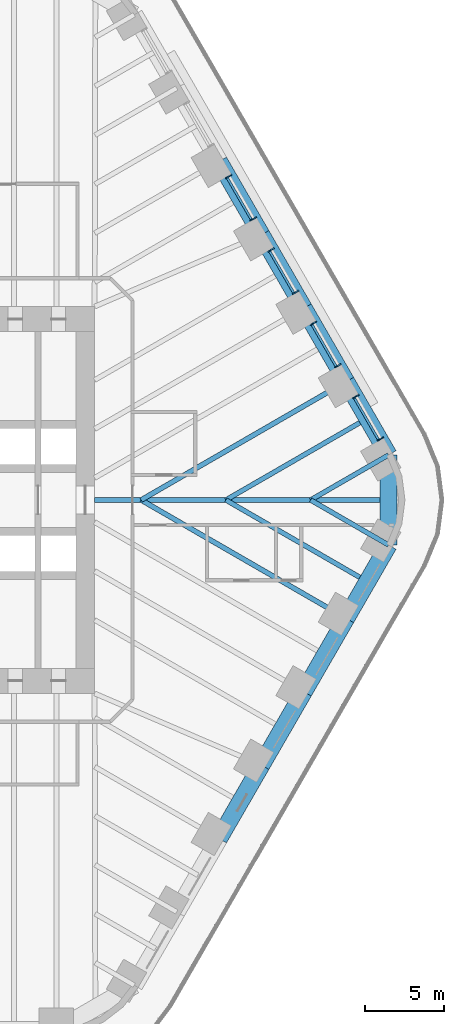
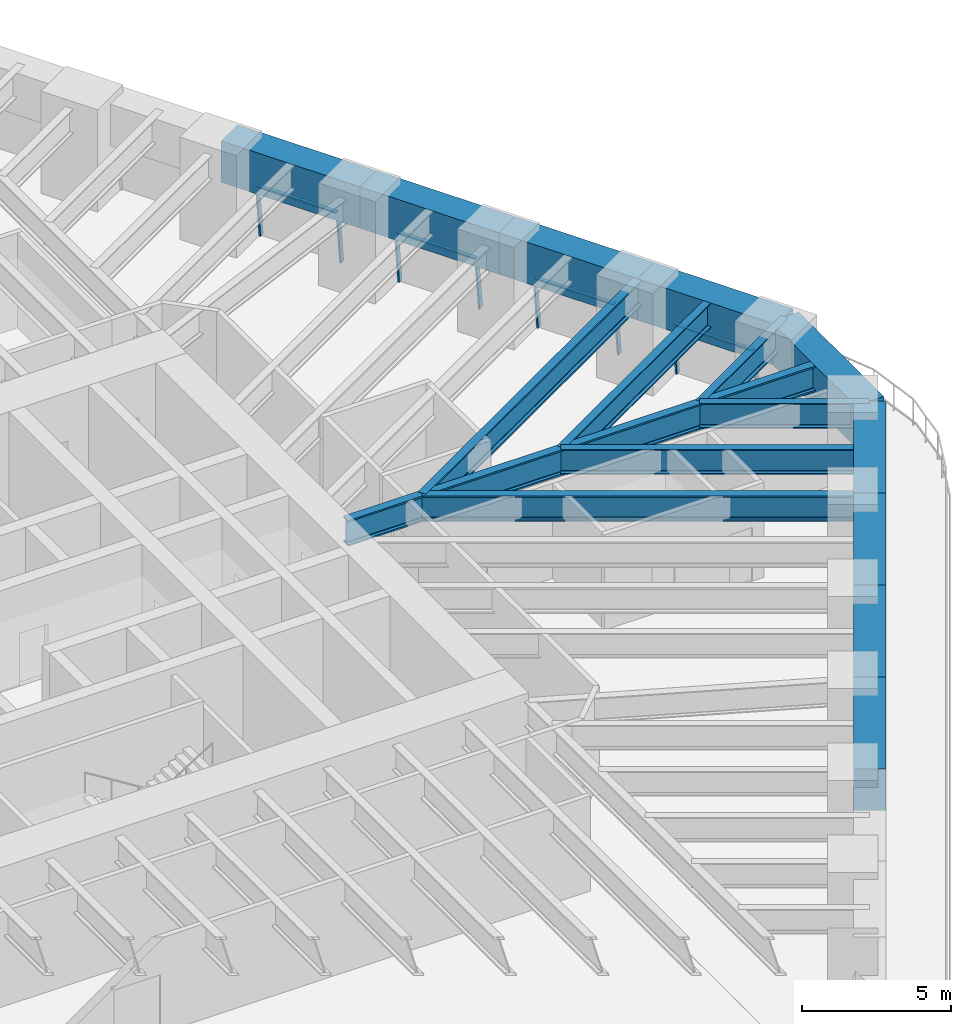
# One storey, part 6 of 16: 16 beams, 12 members, 4 elements without a shape of their own.
"""IFC4 building model written with IfcOpenShell, lengths in metres."""

import ifcopenshell
import ifcopenshell.guid

model = None  # the IFC model being written
_history = None  # IfcOwnerHistory: only IFC2X3 demands one
_inside = {}  # id of a spatial element -> (the spatial element, [elements in it])
_under = {}  # id of a project, library or spatial element -> (it, [spatial elements below it])
_declared = {}  # id of a project -> (the project, [libraries it declares])
_typed = {}  # id of a type object -> (the type object, [elements of that type])
_made_of = {}  # id of a material, layer set ... -> (it, [elements and type objects made of it])


def new_model(schema):
    """Start an empty IFC model of exactly this schema.

    Asked for "IFC4X3", IfcOpenShell would pick the latest addendum, in which some entities
    have other attributes; the version numbers below select the first issue.
    IFC2X3 requires an IfcOwnerHistory on every rooted entity: one is made here for all.
    """
    global model, _history
    if schema == "IFC4X3":
        model = ifcopenshell.file(schema_version=(4, 3, 0, 0))
    else:
        model = ifcopenshell.file(schema=schema)
    _inside.clear()
    _under.clear()
    _declared.clear()
    _typed.clear()
    _made_of.clear()
    _history = None
    if model.schema == "IFC2X3":
        org = make("IfcOrganization", Name="unknown")
        user = make(
            "IfcPersonAndOrganization",
            ThePerson=make("IfcPerson", FamilyName="unknown"),
            TheOrganization=org,
        )
        app = make(
            "IfcApplication",
            ApplicationDeveloper=org,
            Version="unknown",
            ApplicationFullName="unknown",
            ApplicationIdentifier="unknown",
        )
        _history = make(
            "IfcOwnerHistory",
            OwningUser=user,
            OwningApplication=app,
            ChangeAction="ADDED",
            CreationDate=0,
        )
    return model


def make(cls, **values):
    """One entity of the class cls with the attributes given. An attribute that is None is left unset."""
    return model.create_entity(
        cls, **{name: value for name, value in values.items() if value is not None}
    )


def rooted(cls, **values):
    """An entity with a GlobalId (a new one), such as an element, a storey or a relation."""
    return make(cls, GlobalId=ifcopenshell.guid.new(), OwnerHistory=_history, **values)


def si_unit(unit_type, name, prefix=None):
    """IfcSIUnit, for example si_unit("LENGTHUNIT", "METRE", prefix="MILLI")."""
    return make("IfcSIUnit", UnitType=unit_type, Prefix=prefix, Name=name)


def assignment(units):
    """IfcUnitAssignment: the units of a project."""
    return None if units is None else make("IfcUnitAssignment", Units=units)


def point(xyz):
    """IfcCartesianPoint."""
    return None if xyz is None else make("IfcCartesianPoint", Coordinates=xyz)


def direction(xyz):
    """IfcDirection."""
    return None if xyz is None else make("IfcDirection", DirectionRatios=xyz)


def frame(location, z_axis=None, x_axis=None):
    """IfcAxis2Placement3D, a coordinate frame: its origin and axes. An axis left out is left unset."""
    return make(
        "IfcAxis2Placement3D",
        Location=point(location),
        Axis=direction(z_axis),
        RefDirection=direction(x_axis),
    )


def frame_2d(location, x_axis=None):
    """IfcAxis2Placement2D, a coordinate frame in the plane: its origin and x axis."""
    return make(
        "IfcAxis2Placement2D", Location=point(location), RefDirection=direction(x_axis)
    )


def origin():
    """The frame at (0, 0, 0) with its axes left unset."""
    return frame((0.0, 0.0, 0.0))


def origin_2d():
    """The frame at (0, 0) in the plane with its x axis left unset."""
    return frame_2d((0.0, 0.0))


def place(relative_to, where):
    """IfcLocalPlacement: puts the frame where relative to a parent placement (None: the world)."""
    return make(
        "IfcLocalPlacement", PlacementRelTo=relative_to, RelativePlacement=where
    )


def context(
    kind, dimensions, precision=None, world=None, true_north=None, identifier=None
):
    """IfcGeometricRepresentationContext, for example the 3D "Model" context."""
    return make(
        "IfcGeometricRepresentationContext",
        ContextIdentifier=identifier,
        ContextType=kind,
        CoordinateSpaceDimension=dimensions,
        Precision=precision,
        WorldCoordinateSystem=world,
        TrueNorth=true_north,
    )


def subcontext(parent, identifier, kind, view, scale=None):
    """IfcGeometricRepresentationSubContext, for example "Body" below "Model"."""
    return make(
        "IfcGeometricRepresentationSubContext",
        ContextIdentifier=identifier,
        ContextType=kind,
        ParentContext=parent,
        TargetScale=scale,
        TargetView=view,
    )


def project(units=None, contexts=None):
    """IfcProject with its units and contexts."""
    return rooted(
        "IfcProject",
        Name="project",
        RepresentationContexts=contexts,
        UnitsInContext=assignment(units),
    )


def spatial(cls, under=None, at=None, **own):
    """A site, building, storey or space (cls), placed at a placement, below another one or the project."""
    s = rooted(cls, ObjectPlacement=at, **own)
    if under is not None:
        _under.setdefault(under.id(), (under, []))[1].append(s)
    return s


def profile(cls, at=None, kind="AREA", **sizes):
    """A parametric profile (cls). Its sizes go by their IFC names, for example OverallWidth=200.0."""
    return make(cls, ProfileType=kind, Position=at, **sizes)


def rectangle(**sizes):
    """IfcRectangleProfileDef."""
    return profile("IfcRectangleProfileDef", **sizes)


def i_section(**sizes):
    """IfcIShapeProfileDef."""
    return profile("IfcIShapeProfileDef", **sizes)


def extrude(swept, where, along, depth):
    """IfcExtrudedAreaSolid: the profile swept, set in the frame where, extruded along a direction by depth."""
    return make(
        "IfcExtrudedAreaSolid",
        SweptArea=swept,
        Position=where,
        ExtrudedDirection=direction(along),
        Depth=depth,
    )


def shape(context_of_items, identifier, shape_type, items):
    """IfcShapeRepresentation: the items that make up one representation, for example the "Body"."""
    return make(
        "IfcShapeRepresentation",
        ContextOfItems=context_of_items,
        RepresentationIdentifier=identifier,
        RepresentationType=shape_type,
        Items=items,
    )


def material(Name=None, Category=None):
    """IfcMaterial."""
    return make("IfcMaterial", Name=Name, Category=Category)


def material_profile(
    of_material, cross_section, Name=None, Category=None, Priority=None
):
    """IfcMaterialProfile: a cross section and its material."""
    return make(
        "IfcMaterialProfile",
        Name=Name,
        Material=of_material,
        Profile=cross_section,
        Priority=Priority,
        Category=Category,
    )


def profile_set(profiles, Name=None, composite=None):
    """IfcMaterialProfileSet."""
    return make(
        "IfcMaterialProfileSet",
        Name=Name,
        MaterialProfiles=profiles,
        CompositeProfile=composite,
    )


def made_of(thing, what):
    """Note that an element or type object is made of a material, layer set ...; save() writes the relation."""
    if what is not None:
        _made_of.setdefault(what.id(), (what, []))[1].append(thing)
    return thing


def type_object(cls, material=None, **own):
    """A type object (cls), such as IfcWallType, which elements share."""
    return made_of(rooted(cls, **own), material)


def element(
    cls,
    number,
    at=None,
    inside=None,
    cuts=None,
    type_object=None,
    material=None,
    context=None,
    identifier="Body",
    shape_type=None,
    held_by="IfcProductDefinitionShape",
    body=None,
    shapes=None,
    **own,
):
    """One element of the class cls, such as IfcWall. Its Tag is "e" and its number.

    at: its placement. inside: the storey or other place that contains it. cuts: it is an
    opening in that element (IfcRelVoidsElement). A single representation is given by context,
    identifier, shape_type and body (its items); several are given by shapes. held_by: the class
    of the entity that holds the representations. save() writes the other relations.
    """
    e = rooted(cls, Tag="e%d" % number, ObjectPlacement=at, **own)
    if body is not None:
        shapes = [shape(context, identifier, shape_type, body)]
    if shapes is not None:
        e.Representation = make(held_by, Representations=shapes)
    if inside is not None:
        _inside.setdefault(inside.id(), (inside, []))[1].append(e)
    if cuts is not None:
        rooted(
            "IfcRelVoidsElement", RelatingBuildingElement=cuts, RelatedOpeningElement=e
        )
    if type_object is not None:
        _typed.setdefault(type_object.id(), (type_object, []))[1].append(e)
    return made_of(e, material)


def aggregate(whole, parts):
    """IfcRelAggregates: a whole, such as a stair, and the parts it consists of."""
    return rooted("IfcRelAggregates", RelatingObject=whole, RelatedObjects=parts)


def save(model, path):
    """Write the relations noted so far, then the file.

    IfcRelAggregates (storeys below a building ...), IfcRelContainedInSpatialStructure (elements
    in a storey), IfcRelDefinesByType, IfcRelAssociatesMaterial and IfcRelDeclares: one each for
    every whole, place, type object, material and project.
    """
    for whole, parts in _under.values():
        aggregate(whole, parts)
    for where, things in _inside.values():
        rooted(
            "IfcRelContainedInSpatialStructure",
            RelatedElements=things,
            RelatingStructure=where,
        )
    for kind, things in _typed.values():
        rooted("IfcRelDefinesByType", RelatedObjects=things, RelatingType=kind)
    for what, things in _made_of.values():
        rooted("IfcRelAssociatesMaterial", RelatedObjects=things, RelatingMaterial=what)
    for by, libraries in _declared.values():
        rooted("IfcRelDeclares", RelatingContext=by, RelatedDefinitions=libraries)
    model.write(path)


model = new_model("IFC4")

# Units and contexts
model_context = context("Model", 3, precision=1e-05, world=origin(), true_north=direction((0.0, 1.0)))
body_context = subcontext(model_context, "Body", "Model", "MODEL_VIEW")
ifc_project = project(units=[si_unit("LENGTHUNIT", "METRE"), si_unit("AREAUNIT", "SQUARE_METRE"), si_unit("VOLUMEUNIT", "CUBIC_METRE"), si_unit("PLANEANGLEUNIT", "RADIAN"), si_unit("MASSUNIT", "GRAM", prefix="KILO")], contexts=[model_context])

# Site, building, storey
site_placement = place(None, origin())
site = spatial("IfcSite", under=ifc_project, at=site_placement, CompositionType="ELEMENT")
building_placement = place(site_placement, origin())
building = spatial("IfcBuilding", under=site, at=building_placement, Name="Tarfa Lantern Tower", CompositionType="ELEMENT")
storey_placement = place(building_placement, frame((0.0, 0.0, 103.300048828125)))
storey = spatial("IfcBuildingStorey", under=building, at=storey_placement, Name="L23", CompositionType="ELEMENT", Elevation=103.300048828125)

# Curtain wall, members
ifc_material_1 = material(Name="Aluminium framed curtain wall", Category="aluminium")
curtain_wall_type = type_object("IfcCurtainWallType", Name="CW1 CANTED GLAZING LOW ZONE 2200", PredefinedType="USERDEFINED", material=ifc_material_1)
curtain_wall_1_placement = place(storey_placement, origin())
curtain_wall_1 = element("IfcCurtainWall", 1, at=curtain_wall_1_placement, inside=storey, type_object=curtain_wall_type, Name="CW1 NE L23", ObjectType="CURTAIN WALL", PredefinedType="USERDEFINED")
ifc_material_2 = material(Name="Aluminium mullion", Category="aluminium")
ifc_material_profile_1 = material_profile(ifc_material_2, rectangle(XDim=0.06494140625, YDim=0.199951171875, at=origin_2d()), Name="AL MULLION 65x200")
ifc_profile_set_1 = profile_set([ifc_material_profile_1], Name="Aluminium mullion")
member_type_1 = type_object("IfcMemberType", Name="CWM1 MULLION 65x200", PredefinedType="MULLION", material=ifc_profile_set_1)
member_1_placement = place(storey_placement, frame((36.875, 3.9306640625, 0.0), z_axis=(-0.097805549444, -0.056455965406, 0.993602938033), x_axis=(0.499919672301, -0.866071776036, 0.0)))
member_1 = element("IfcMember", 2, at=member_1_placement, type_object=member_type_1, Name="CW1 mullion 1", PredefinedType="MULLION", context=body_context, shape_type="SweptSolid", body=[
    extrude(rectangle(XDim=0.06494140625, YDim=0.199951171875, at=origin_2d()), origin(), (0.0, 0.0, 1.0), 2.214111328125),
])
member_2_placement = place(storey_placement, frame((35.313232421875, 6.635986328125, 0.0), z_axis=(-0.097805549444, -0.056455965406, 0.993602938033), x_axis=(0.499919672301, -0.866071776036, 0.0)))
member_2 = element("IfcMember", 3, at=member_2_placement, type_object=member_type_1, Name="CW1 mullion 2", PredefinedType="MULLION", context=body_context, shape_type="SweptSolid", body=[
    extrude(rectangle(XDim=0.06494140625, YDim=0.199951171875, at=origin_2d()), origin(), (0.0, 0.0, 1.0), 2.214111328125),
])

curtain_wall_2_placement = place(storey_placement, origin())
curtain_wall_2 = element("IfcCurtainWall", 4, at=curtain_wall_2_placement, inside=storey, type_object=curtain_wall_type, Name="CW1 NE L23", ObjectType="CURTAIN WALL", PredefinedType="USERDEFINED")
member_3_placement = place(storey_placement, frame((34.1806640625, 8.597412109375, 0.0), z_axis=(-0.097805549444, -0.056455965406, 0.993602938033), x_axis=(0.499919672301, -0.866071776036, 0.0)))
member_3 = element("IfcMember", 5, at=member_3_placement, type_object=member_type_1, Name="CW1 mullion 1", PredefinedType="MULLION", context=body_context, shape_type="SweptSolid", body=[
    extrude(rectangle(XDim=0.06494140625, YDim=0.199951171875, at=origin_2d()), origin(), (0.0, 0.0, 1.0), 2.214111328125),
])
member_4_placement = place(storey_placement, frame((32.618896484375, 11.302490234375, 0.0), z_axis=(-0.097805549444, -0.056455965406, 0.993602938033), x_axis=(0.499919672301, -0.866071776036, 0.0)))
member_4 = element("IfcMember", 6, at=member_4_placement, type_object=member_type_1, Name="CW1 mullion 2", PredefinedType="MULLION", context=body_context, shape_type="SweptSolid", body=[
    extrude(rectangle(XDim=0.06494140625, YDim=0.199951171875, at=origin_2d()), origin(), (0.0, 0.0, 1.0), 2.214111328125),
])

curtain_wall_3_placement = place(storey_placement, origin())
curtain_wall_3 = element("IfcCurtainWall", 7, at=curtain_wall_3_placement, inside=storey, type_object=curtain_wall_type, Name="CW1 NE L23", ObjectType="CURTAIN WALL", PredefinedType="USERDEFINED")
member_5_placement = place(storey_placement, frame((31.486328125, 13.26416015625, 0.0), z_axis=(-0.097805549444, -0.056455965406, 0.993602938033), x_axis=(0.499919672301, -0.866071776036, 0.0)))
member_5 = element("IfcMember", 8, at=member_5_placement, type_object=member_type_1, Name="CW1 mullion 1", PredefinedType="MULLION", context=body_context, shape_type="SweptSolid", body=[
    extrude(rectangle(XDim=0.06494140625, YDim=0.199951171875, at=origin_2d()), origin(), (0.0, 0.0, 1.0), 2.214111328125),
])
member_6_placement = place(storey_placement, frame((29.924560546875, 15.96923828125, 0.0), z_axis=(-0.097805549444, -0.056455965406, 0.993602938033), x_axis=(0.499919672301, -0.866071776036, 0.0)))
member_6 = element("IfcMember", 9, at=member_6_placement, type_object=member_type_1, Name="CW1 mullion 2", PredefinedType="MULLION", context=body_context, shape_type="SweptSolid", body=[
    extrude(rectangle(XDim=0.06494140625, YDim=0.199951171875, at=origin_2d()), origin(), (0.0, 0.0, 1.0), 2.214111328125),
])

curtain_wall_4_placement = place(storey_placement, origin())
curtain_wall_4 = element("IfcCurtainWall", 10, at=curtain_wall_4_placement, inside=storey, type_object=curtain_wall_type, Name="CW1 NE L23", ObjectType="CURTAIN WALL", PredefinedType="USERDEFINED")
member_7_placement = place(storey_placement, frame((28.7919921875, 17.9306640625, 0.0), z_axis=(-0.097805549444, -0.056455965406, 0.993602938033), x_axis=(0.499919672301, -0.866071776036, 0.0)))
member_7 = element("IfcMember", 11, at=member_7_placement, type_object=member_type_1, Name="CW1 mullion 1", PredefinedType="MULLION", context=body_context, shape_type="SweptSolid", body=[
    extrude(rectangle(XDim=0.06494140625, YDim=0.199951171875, at=origin_2d()), origin(), (0.0, 0.0, 1.0), 2.214111328125),
])
member_8_placement = place(storey_placement, frame((27.230224609375, 20.635986328125, 0.0), z_axis=(-0.097805549444, -0.056455965406, 0.993602938033), x_axis=(0.499919672301, -0.866071776036, 0.0)))
member_8 = element("IfcMember", 12, at=member_8_placement, type_object=member_type_1, Name="CW1 mullion 2", PredefinedType="MULLION", context=body_context, shape_type="SweptSolid", body=[
    extrude(rectangle(XDim=0.06494140625, YDim=0.199951171875, at=origin_2d()), origin(), (0.0, 0.0, 1.0), 2.214111328125),
])

# Member
ifc_material_3 = material(Name="Aluminium transom", Category="aluminium")
ifc_material_profile_2 = material_profile(ifc_material_3, rectangle(XDim=0.14990234375, YDim=0.06494140625, at=origin_2d()), Name="AL TRANSOM 150x65")
ifc_profile_set_2 = profile_set([ifc_material_profile_2], Name="Aluminium transom")
member_type_2 = type_object("IfcMemberType", Name="CWT1 TRANSOM 150x65", PredefinedType="USERDEFINED", material=ifc_profile_set_2)
member_9_placement = place(storey_placement, frame((36.645263671875, 3.835693359375, 2.16748046875), z_axis=(-0.499985008713, 0.866034058835, 0.0), x_axis=(-0.866034058835, -0.499985008713, 0.0)))
member_9 = element("IfcMember", 13, at=member_9_placement, type_object=member_type_2, Name="CW1 transom 1.2", ObjectType="TRANSOM", PredefinedType="USERDEFINED", context=body_context, shape_type="SweptSolid", body=[
    extrude(rectangle(XDim=0.14990234375, YDim=0.06494140625, at=origin_2d()), origin(), (0.0, 0.0, 1.0), 3.05859375),
])

aggregate(curtain_wall_1, [member_1, member_2, member_9])

member_10_placement = place(storey_placement, frame((33.951171875, 8.50244140625, 2.16748046875), z_axis=(-0.499985008713, 0.866034058835, 0.0), x_axis=(-0.866034058835, -0.499985008713, 0.0)))
member_10 = element("IfcMember", 14, at=member_10_placement, type_object=member_type_2, Name="CW1 transom 1.2", ObjectType="TRANSOM", PredefinedType="USERDEFINED", context=body_context, shape_type="SweptSolid", body=[
    extrude(rectangle(XDim=0.14990234375, YDim=0.06494140625, at=origin_2d()), origin(), (0.0, 0.0, 1.0), 3.05859375),
])

aggregate(curtain_wall_2, [member_3, member_4, member_10])

member_11_placement = place(storey_placement, frame((31.2568359375, 13.169189453125, 2.16748046875), z_axis=(-0.500019572571, 0.86601410326, 0.0), x_axis=(-0.86601410326, -0.500019572571, 0.0)))
member_11 = element("IfcMember", 15, at=member_11_placement, type_object=member_type_2, Name="CW1 transom 1.2", ObjectType="TRANSOM", PredefinedType="USERDEFINED", context=body_context, shape_type="SweptSolid", body=[
    extrude(rectangle(XDim=0.14990234375, YDim=0.06494140625, at=origin_2d()), origin(), (0.0, 0.0, 1.0), 3.05859375),
])

aggregate(curtain_wall_3, [member_5, member_6, member_11])

member_12_placement = place(storey_placement, frame((28.5625, 17.835693359375, 2.16748046875), z_axis=(-0.499985008713, 0.866034058835, 0.0), x_axis=(-0.866034058835, -0.499985008713, 0.0)))
member_12 = element("IfcMember", 16, at=member_12_placement, type_object=member_type_2, Name="CW1 transom 1.2", ObjectType="TRANSOM", PredefinedType="USERDEFINED", context=body_context, shape_type="SweptSolid", body=[
    extrude(rectangle(XDim=0.14990234375, YDim=0.06494140625, at=origin_2d()), origin(), (0.0, 0.0, 1.0), 3.05859375),
])

aggregate(curtain_wall_4, [member_7, member_8, member_12])

# Beams
ifc_material_4 = material(Name="Concrete C80/95", Category="concrete")
ifc_material_profile_3 = material_profile(ifc_material_4, rectangle(XDim=1.10009765625, YDim=1.699951171875, at=origin_2d()), Name="RC 1100x1700")
ifc_profile_set_3 = profile_set([ifc_material_profile_3], Name="Concrete C80/95")
beam_type_1 = type_object("IfcBeamType", Name="RB1 RC 1100x1700", PredefinedType="BEAM", material=ifc_profile_set_3)
beam_1_placement = place(storey_placement, frame((37.285400390625, 2.860107421875, 3.050048828125), z_axis=(-0.500017906299, 0.866015065331, 0.0), x_axis=(-0.866015065331, -0.500017906299, 0.0)))
element("IfcBeam", 17, at=beam_1_placement, inside=storey, type_object=beam_type_1, Name="Edge beam NE0", PredefinedType="BEAM", context=body_context, shape_type="SweptSolid", body=[
    extrude(rectangle(XDim=1.10009765625, YDim=1.699951171875, at=origin_2d()), origin(), (0.0, 0.0, 1.0), 5.388427734375),
])
for number, where, z_axis, x_axis, name in (
    (18, (34.591064453125, 7.526611328125, 3.050048828125), (-0.499998287579, 0.866026392449, 0.0), (-0.866026392449, -0.499998287579, 0.0), "Edge beam NE1"),
    (19, (31.896728515625, 12.193359375, 3.050048828125), (-0.499998287579, 0.866026392449, 0.0), (-0.866026392449, -0.499998287579, 0.0), "Edge beam NE2"),
):
    element("IfcBeam", number, at=place(storey_placement, frame(where, z_axis=z_axis, x_axis=x_axis)), inside=storey, type_object=beam_type_1, Name=name, PredefinedType="BEAM", context=body_context, shape_type="SweptSolid", body=[
        extrude(rectangle(XDim=1.10009765625, YDim=1.699951171875, at=origin_2d()), origin(), (0.0, 0.0, 1.0), 5.388671875),
    ])
for number, where, z_axis, x_axis, name in (
    (20, (29.202392578125, 16.860107421875, 3.050048828125), (-0.500017906299, 0.866015065331, 0.0), (-0.866015065331, -0.500017906299, 0.0), "Edge beam NE3"),
    (21, (26.508056640625, -21.526611328125, 3.050048828125), (0.500017906299, 0.866015065331, 0.0), (-0.866015065331, 0.500017906299, 0.0), "Edge beam SE2"),
):
    element("IfcBeam", number, at=place(storey_placement, frame(where, z_axis=z_axis, x_axis=x_axis)), inside=storey, type_object=beam_type_1, Name=name, PredefinedType="BEAM", context=body_context, shape_type="SweptSolid", body=[
        extrude(rectangle(XDim=1.10009765625, YDim=1.699951171875, at=origin_2d()), origin(), (0.0, 0.0, 1.0), 5.388427734375),
    ])
for number, where, z_axis, x_axis, name in (
    (22, (29.202392578125, -16.860107421875, 3.050048828125), (0.499998287579, 0.866026392449, 0.0), (-0.866026392449, 0.499998287579, 0.0), "Edge beam SE3"),
    (23, (31.896728515625, -12.193359375, 3.050048828125), (0.499998287579, 0.866026392449, 0.0), (-0.866026392449, 0.499998287579, 0.0), "Edge beam SE4"),
):
    element("IfcBeam", number, at=place(storey_placement, frame(where, z_axis=z_axis, x_axis=x_axis)), inside=storey, type_object=beam_type_1, Name=name, PredefinedType="BEAM", context=body_context, shape_type="SweptSolid", body=[
        extrude(rectangle(XDim=1.10009765625, YDim=1.699951171875, at=origin_2d()), origin(), (0.0, 0.0, 1.0), 5.388671875),
    ])
beam_2_placement = place(storey_placement, frame((34.591064453125, -7.526611328125, 3.050048828125), z_axis=(0.500017906299, 0.866015065331, 0.0), x_axis=(-0.866015065331, 0.500017906299, 0.0)))
element("IfcBeam", 24, at=beam_2_placement, inside=storey, type_object=beam_type_1, Name="Edge beam SE5", PredefinedType="BEAM", context=body_context, shape_type="SweptSolid", body=[
    extrude(rectangle(XDim=1.10009765625, YDim=1.699951171875, at=origin_2d()), origin(), (0.0, 0.0, 1.0), 5.388427734375),
])
beam_3_placement = place(storey_placement, frame((37.285400390625, -2.860107421875, 3.050048828125), z_axis=(0.0, 1.0, 0.0), x_axis=(-1.0, 0.0, 0.0)))
element("IfcBeam", 25, at=beam_3_placement, inside=storey, type_object=beam_type_1, Name="Edge beam SE6", PredefinedType="BEAM", context=body_context, shape_type="SweptSolid", body=[
    extrude(rectangle(XDim=1.10009765625, YDim=1.699951171875, at=origin_2d()), origin(), (0.0, 0.0, 1.0), 5.72021484375),
])
ifc_material_5 = material(Name="Steel S460M", Category="steel")
ifc_material_profile_4 = material_profile(ifc_material_5, i_section(OverallWidth=0.302001953125, OverallDepth=1.008056640625, WebThickness=0.02099609375, FlangeThickness=0.0400390625, FilletRadius=0.030029296875, at=origin_2d()), Name="UB1016x305x349")
ifc_profile_set_4 = profile_set([ifc_material_profile_4], Name="Steel S460M")
beam_type_2 = type_object("IfcBeamType", Name="UB1016x305x349", PredefinedType="BEAM", material=ifc_profile_set_4)
for number, where, z_axis, x_axis, name in (
    (26, (37.285400390625, 2.860107421875, 3.39599609375), (-0.866025668288, -0.499999541866, 0.0), (0.499999541866, -0.866025668288, 0.0), "Floor beam NE0"),
    (27, (37.285400390625, -2.860107421875, 3.39599609375), (-0.866025668288, 0.499999541866, 0.0), (-0.499999541866, -0.866025668288, 0.0), "Floor beam SE6"),
):
    element("IfcBeam", number, at=place(storey_placement, frame(where, z_axis=z_axis, x_axis=x_axis)), inside=storey, type_object=beam_type_2, Name=name, PredefinedType="BEAM", context=body_context, shape_type="SweptSolid", body=[
        extrude(i_section(OverallWidth=0.302001953125, OverallDepth=1.008056640625, WebThickness=0.02099609375, FlangeThickness=0.0400390625, FilletRadius=0.030029296875, at=origin_2d()), origin(), (0.0, 0.0, 1.0), 5.72021484375),
    ])
for number, where, z_axis, x_axis, name in (
    (28, (35.938232421875, 5.193359375, 3.39599609375), (-0.866024317969, -0.500001880682, 0.0), (0.500001880682, -0.866024317969, 0.0), "Floor beam NE0M"),
    (29, (35.938232421875, -5.193359375, 3.39599609375), (-0.866024317969, 0.500001880682, 0.0), (-0.500001880682, -0.866024317969, 0.0), "Floor beam SE5M"),
):
    element("IfcBeam", number, at=place(storey_placement, frame(where, z_axis=z_axis, x_axis=x_axis)), inside=storey, type_object=beam_type_2, Name=name, PredefinedType="BEAM", context=body_context, shape_type="SweptSolid", body=[
        extrude(i_section(OverallWidth=0.302001953125, OverallDepth=1.008056640625, WebThickness=0.02099609375, FlangeThickness=0.0400390625, FilletRadius=0.030029296875, at=origin_2d()), origin(), (0.0, 0.0, 1.0), 10.38671875),
    ])
ifc_material_profile_5 = material_profile(ifc_material_5, i_section(OverallWidth=0.314208984375, OverallDepth=1.055908203125, WebThickness=0.035888671875, FlangeThickness=0.06396484375, FilletRadius=0.030029296875, at=origin_2d()), Name="UB1016x305x584")
ifc_profile_set_5 = profile_set([ifc_material_profile_5], Name="Steel S460M")
beam_type_3 = type_object("IfcBeamType", Name="UB1016x305x584", PredefinedType="BEAM", material=ifc_profile_set_5)
beam_4_placement = place(storey_placement, frame((18.60009765625, 0.0, 3.3720703125), z_axis=(1.0, 0.0, 0.0), x_axis=(0.0, 1.0, 0.0)))
element("IfcBeam", 30, at=beam_4_placement, inside=storey, type_object=beam_type_3, Name="Hip girder E", PredefinedType="BEAM", context=body_context, shape_type="SweptSolid", body=[
    extrude(i_section(OverallWidth=0.314208984375, OverallDepth=1.055908203125, WebThickness=0.035888671875, FlangeThickness=0.06396484375, FilletRadius=0.030029296875, at=origin_2d()), origin(), (0.0, 0.0, 1.0), 18.685302734375),
])
for number, where, z_axis, x_axis, name in (
    (31, (34.591064453125, 7.526611328125, 3.3720703125), (-0.86602785945, -0.499995746638, 0.0), (0.499995746638, -0.86602785945, 0.0), "Floor beam NE1"),
    (32, (34.591064453125, -7.526611328125, 3.3720703125), (-0.86602785945, 0.499995746638, 0.0), (-0.499995746638, -0.86602785945, 0.0), "Floor beam SE5"),
):
    element("IfcBeam", number, at=place(storey_placement, frame(where, z_axis=z_axis, x_axis=x_axis)), inside=storey, type_object=beam_type_3, Name=name, PredefinedType="BEAM", context=body_context, shape_type="SweptSolid", body=[
        extrude(i_section(OverallWidth=0.314208984375, OverallDepth=1.055908203125, WebThickness=0.035888671875, FlangeThickness=0.06396484375, FilletRadius=0.030029296875, at=origin_2d()), origin(), (0.0, 0.0, 1.0), 15.053466796875),
    ])

save(model, "model.ifc")
